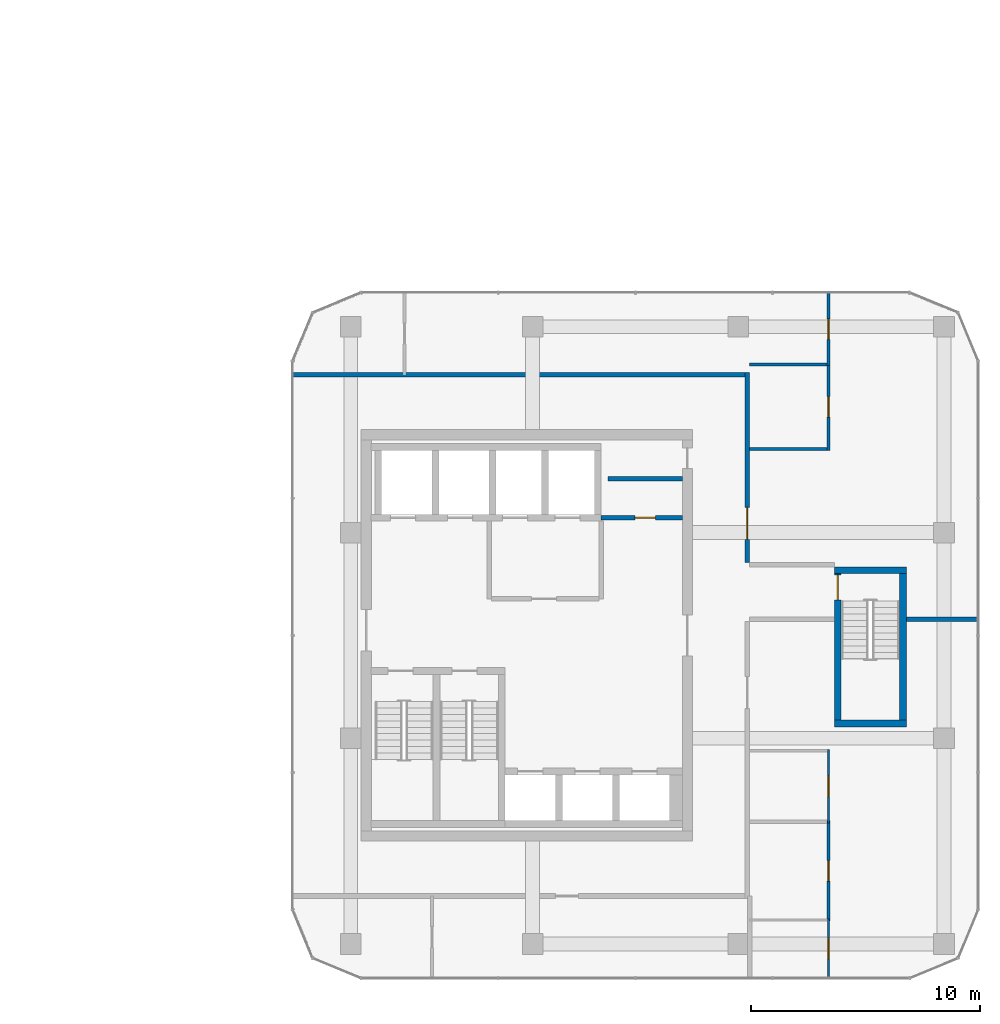
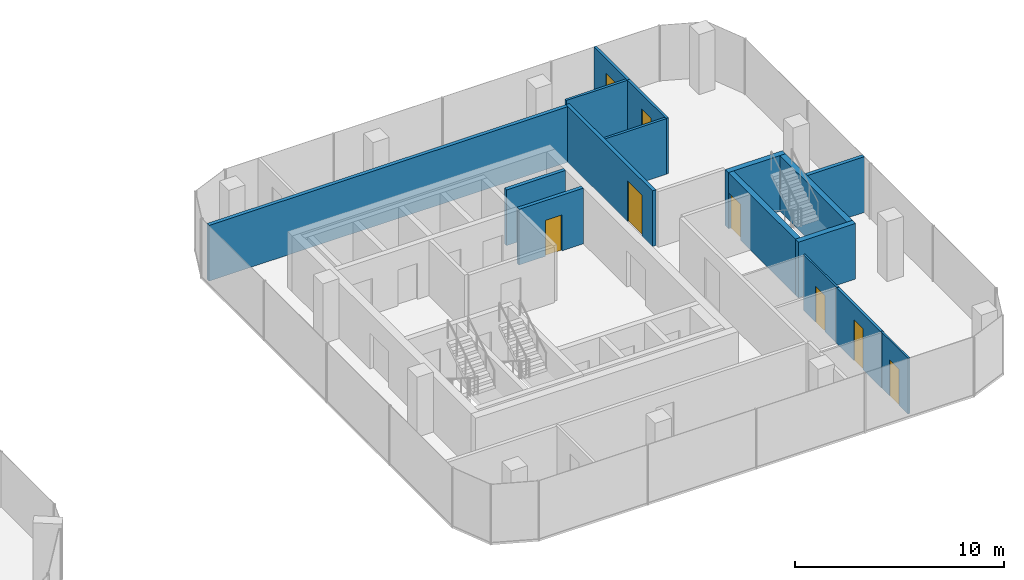
# One storey, part 19 of 23: 16 walls, 8 doors, 8 openings.
"""IFC4 building model written with IfcOpenShell, lengths in metres."""

from ifc_helpers import new_model, si_unit, direction, frame, frame_2d, origin, place, context, subcontext, project, spatial, rectangle, extrude, material, layer, layer_set, type_object, element, fill, save


model = new_model("IFC4")

# Units and contexts
model_context = context("Model", 3, precision=1e-05, world=origin(), true_north=direction((0.0, 1.0)))
body_context = subcontext(model_context, "Body", "Model", "MODEL_VIEW")
ifc_project = project(units=[si_unit("LENGTHUNIT", "METRE"), si_unit("AREAUNIT", "SQUARE_METRE"), si_unit("VOLUMEUNIT", "CUBIC_METRE"), si_unit("PLANEANGLEUNIT", "RADIAN"), si_unit("MASSUNIT", "GRAM", prefix="KILO")], contexts=[model_context])

# Site, building, storey
site_placement = place(None, origin())
site = spatial("IfcSite", under=ifc_project, at=site_placement, CompositionType="ELEMENT")
building_placement = place(site_placement, origin())
building = spatial("IfcBuilding", under=site, at=building_placement, Name="Plateau Cross Towers", CompositionType="ELEMENT")
storey_placement = place(building_placement, frame((0.0, 0.0, 85.300048828125)))
storey = spatial("IfcBuildingStorey", under=building, at=storey_placement, Name="L21", CompositionType="ELEMENT", Elevation=85.300048828125)

# Wall, opening, door
ifc_material_1 = material(Name="Concrete block, plastered both sides", Category="concrete")
ifc_layer_1 = layer(ifc_material_1, 0.199951171875)
ifc_layer_set_1 = layer_set([ifc_layer_1], Name="Concrete block, plastered both sides")
wall_type_1 = type_object("IfcWallType", Name="Core partition 200", PredefinedType="PARTITIONING", material=ifc_layer_set_1)
wall_1_placement = place(storey_placement, frame((85.5, 14.14990234375, 0.0), z_axis=(0.0, 0.0, 1.0), x_axis=(1.0, 0.0, 0.0)))
wall_1 = element("IfcWall", 1, at=wall_1_placement, inside=storey, type_object=wall_type_1, Name="Core partition", PredefinedType="PARTITIONING", context=body_context, shape_type="SweptSolid", body=[
    extrude(rectangle(XDim=3.550048828125, YDim=0.199951171875, at=frame_2d((1.77490234375, 0.0))), origin(), (0.0, 0.0, 1.0), 3.25),
])
opening_1_placement = place(wall_1_placement, frame((1.47509765625, 0.0, 0.0)))
opening_1 = element("IfcOpeningElement", 2, at=opening_1_placement, cuts=wall_1, Name="Opening RD2", PredefinedType="OPENING", context=body_context, shape_type="SweptSolid", body=[
    extrude(rectangle(XDim=0.89990234375, YDim=2.10009765625, at=frame_2d((0.449951171875, 1.050048828125))), frame((0.0, 0.10986328125, 0.0), z_axis=(0.0, -1.0, 0.0), x_axis=(1.0, 0.0, 0.0)), (0.0, 0.0, 1.0), 0.219970703125),
])
ifc_material_2 = material(Name="Steel, fire-resisting leaf", Category="steel")
door_type_1 = type_object("IfcDoorType", Name="Core riser door 900", OperationType="NOTDEFINED", PredefinedType="DOOR", material=ifc_material_2)
door_1_placement = place(opening_1_placement, origin())
door_1 = element("IfcDoor", 3, at=door_1_placement, inside=storey, type_object=door_type_1, Name="Core riser door RD2", OperationType="SINGLE_SWING_LEFT", OverallHeight=2.10009765625, OverallWidth=0.89990234375, PredefinedType="DOOR", context=body_context, shape_type="SweptSolid", body=[
    extrude(rectangle(XDim=0.89990234375, YDim=2.10009765625, at=frame_2d((0.449951171875, 1.050048828125))), frame((0.0, 0.02490234375, 0.0), z_axis=(0.0, -1.0, 0.0), x_axis=(1.0, 0.0, 0.0)), (0.0, 0.0, 1.0), 0.050048828125),
])
fill(opening_1, door_1)

# Wall
wall_2_placement = place(storey_placement, frame((85.800048828125, 15.85009765625, 0.0), z_axis=(0.0, 0.0, 1.0), x_axis=(1.0, 0.0, 0.0)))
element("IfcWall", 4, at=wall_2_placement, inside=storey, type_object=wall_type_1, Name="Core partition", PredefinedType="PARTITIONING", context=body_context, shape_type="SweptSolid", body=[
    extrude(rectangle(XDim=3.25, YDim=0.199951171875, at=frame_2d((1.625, 0.0))), origin(), (0.0, 0.0, 1.0), 3.25),
])

# Wall, opening, door
ifc_material_3 = material(Name="Concrete C60/75", Category="concrete")
ifc_layer_2 = layer(ifc_material_3, 0.300048828125)
ifc_layer_set_2 = layer_set([ifc_layer_2], Name="Concrete C60/75")
wall_type_2 = type_object("IfcWallType", Name="Core shaft wall 300", PredefinedType="SHEAR", material=ifc_layer_set_2)
wall_3_placement = place(storey_placement, frame((95.85009765625, 5.300048828125, 0.0), z_axis=(0.0, 0.0, 1.0), x_axis=(0.0, 1.0, 0.0)))
wall_3 = element("IfcWall", 5, at=wall_3_placement, inside=storey, type_object=wall_type_2, Name="B-sb3-W@L21", PredefinedType="SHEAR", context=body_context, shape_type="SweptSolid", body=[
    extrude(rectangle(XDim=6.39990234375, YDim=0.300048828125, at=frame_2d((3.199951171875, 0.0))), origin(), (0.0, 0.0, 1.0), 3.25),
])
opening_2_placement = place(wall_3_placement, frame((5.25, 0.0, 0.0)))
opening_2 = element("IfcOpeningElement", 6, at=opening_2_placement, cuts=wall_3, Name="Opening SD", PredefinedType="OPENING", context=body_context, shape_type="SweptSolid", body=[
    extrude(rectangle(XDim=1.10009765625, YDim=2.10009765625, at=frame_2d((0.550048828125, 1.050048828125))), frame((0.0, 0.159912109375, 0.0), z_axis=(0.0, -1.0, 0.0), x_axis=(1.0, 0.0, 0.0)), (0.0, 0.0, 1.0), 0.320068359375),
])
door_type_2 = type_object("IfcDoorType", Name="Stair door 1100", OperationType="NOTDEFINED", PredefinedType="DOOR", material=ifc_material_2)
door_2_placement = place(opening_2_placement, origin())
door_2 = element("IfcDoor", 7, at=door_2_placement, inside=storey, type_object=door_type_2, Name="Stair door SD", OperationType="SINGLE_SWING_LEFT", OverallHeight=2.10009765625, OverallWidth=1.10009765625, PredefinedType="DOOR", context=body_context, shape_type="SweptSolid", body=[
    extrude(rectangle(XDim=1.10009765625, YDim=2.10009765625, at=frame_2d((0.550048828125, 1.050048828125))), frame((0.0, 0.02490234375, 0.0), z_axis=(0.0, -1.0, 0.0), x_axis=(1.0, 0.0, 0.0)), (0.0, 0.0, 1.0), 0.050048828125),
])
fill(opening_2, door_2)

# Walls
wall_4_placement = place(storey_placement, frame((98.699951171875, 5.300048828125, 0.0), z_axis=(0.0, 0.0, 1.0), x_axis=(0.0, 1.0, 0.0)))
element("IfcWall", 8, at=wall_4_placement, inside=storey, type_object=wall_type_2, Name="B-sb3-E@L21", PredefinedType="SHEAR", context=body_context, shape_type="SweptSolid", body=[
    extrude(rectangle(XDim=6.39990234375, YDim=0.300048828125, at=frame_2d((3.199951171875, 0.0))), origin(), (0.0, 0.0, 1.0), 3.25),
])
for number, where, z_axis, x_axis, name in (
    (9, (95.699951171875, 5.14990234375, 0.0), (0.0, 0.0, 1.0), (1.0, 0.0, 0.0), "B-sb3-S@L21"),
    (10, (95.699951171875, 11.85009765625, 0.0), (0.0, 0.0, 1.0), (1.0, 0.0, 0.0), "B-sb3-N@L21"),
):
    element("IfcWall", number, at=place(storey_placement, frame(where, z_axis=z_axis, x_axis=x_axis)), inside=storey, type_object=wall_type_2, Name=name, PredefinedType="SHEAR", context=body_context, shape_type="SweptSolid", body=[
        extrude(rectangle(XDim=3.150146484375, YDim=0.300048828125, at=frame_2d((1.5751953125, 0.0))), origin(), (0.0, 0.0, 1.0), 3.25),
    ])
ifc_material_4 = material(Name="Gypsum board on steel studs, two layers each side", Category="steel")
ifc_layer_3 = layer(ifc_material_4, 0.199951171875)
ifc_layer_set_3 = layer_set([ifc_layer_3], Name="Gypsum board on steel studs, two layers each side")
wall_type_3 = type_object("IfcWallType", Name="Corridor wall 200", PredefinedType="PARTITIONING", material=ifc_layer_set_3)
wall_5_placement = place(storey_placement, frame((72.0, 20.39990234375, 0.0), z_axis=(0.0, 0.0, 1.0), x_axis=(1.0, 0.0, 0.0)))
element("IfcWall", 11, at=wall_5_placement, inside=storey, type_object=wall_type_3, Name="Ring wall", PredefinedType="PARTITIONING", context=body_context, shape_type="SweptSolid", body=[
    extrude(rectangle(XDim=20.0, YDim=0.199951171875, at=frame_2d((10.0, 0.0))), origin(), (0.0, 0.0, 1.0), 3.25),
])

# Wall, opening, door
wall_6_placement = place(storey_placement, frame((91.89990234375, 12.199951171875, 0.0), z_axis=(0.0, 0.0, 1.0), x_axis=(0.0, 1.0, 0.0)))
wall_6 = element("IfcWall", 12, at=wall_6_placement, inside=storey, type_object=wall_type_3, Name="Ring wall", PredefinedType="PARTITIONING", context=body_context, shape_type="SweptSolid", body=[
    extrude(rectangle(XDim=8.300048828125, YDim=0.199951171875, at=frame_2d((4.14990234375, 0.0))), origin(), (0.0, 0.0, 1.0), 3.25),
])
opening_3_placement = place(wall_6_placement, frame((1.0, 0.0, 0.0)))
opening_3 = element("IfcOpeningElement", 13, at=opening_3_placement, cuts=wall_6, Name="Opening D-BE14", PredefinedType="OPENING", context=body_context, shape_type="SweptSolid", body=[
    extrude(rectangle(XDim=1.39990234375, YDim=2.39990234375, at=frame_2d((0.699951171875, 1.199951171875))), frame((0.0, 0.10986328125, 0.0), z_axis=(0.0, -1.0, 0.0), x_axis=(1.0, 0.0, 0.0)), (0.0, 0.0, 1.0), 0.219970703125),
])
ifc_material_5 = material(Name="Timber, fire-resisting leaves", Category="wood")
door_type_3 = type_object("IfcDoorType", Name="Tenant entrance double-leaf 1400x2400", OperationType="NOTDEFINED", PredefinedType="DOOR", material=ifc_material_5)
door_3_placement = place(opening_3_placement, origin())
door_3 = element("IfcDoor", 14, at=door_3_placement, inside=storey, type_object=door_type_3, Name="Door D-BE14", OperationType="DOUBLE_DOOR_SINGLE_SWING", OverallHeight=2.39990234375, OverallWidth=1.39990234375, PredefinedType="DOOR", context=body_context, shape_type="SweptSolid", body=[
    extrude(rectangle(XDim=1.39990234375, YDim=2.39990234375, at=frame_2d((0.699951171875, 1.199951171875))), frame((0.0, 0.02490234375, 0.0), z_axis=(0.0, -1.0, 0.0), x_axis=(1.0, 0.0, 0.0)), (0.0, 0.0, 1.0), 0.050048828125),
])
fill(opening_3, door_3)

ifc_material_6 = material(Name="Gypsum board on staggered steel studs, mineral wool, two layers each side", Category="steel")
ifc_layer_4 = layer(ifc_material_6, 0.139892578125)
ifc_layer_set_4 = layer_set([ifc_layer_4], Name="Gypsum board on staggered steel studs, mineral wool, two layers each side")
wall_type_4 = type_object("IfcWallType", Name="Meeting room acoustic partition 140", PredefinedType="PARTITIONING", material=ifc_layer_set_4)
wall_7_placement = place(storey_placement, frame((95.449951171875, -3.5, 0.0), z_axis=(0.0, 0.0, 1.0), x_axis=(0.0, 1.0, 0.0)))
wall_7 = element("IfcWall", 15, at=wall_7_placement, inside=storey, type_object=wall_type_4, Name="Acoustic wall", PredefinedType="PARTITIONING", context=body_context, shape_type="SweptSolid", body=[
    extrude(rectangle(XDim=4.39990234375, YDim=0.139892578125, at=frame_2d((2.199951171875, 0.0))), origin(), (0.0, 0.0, 1.0), 3.25),
])
opening_4_placement = place(wall_7_placement, frame((1.75, 0.0, 0.0)))
opening_4 = element("IfcOpeningElement", 16, at=opening_4_placement, cuts=wall_7, Name="Opening D-BM9", PredefinedType="OPENING", context=body_context, shape_type="SweptSolid", body=[
    extrude(rectangle(XDim=0.89990234375, YDim=2.39990234375, at=frame_2d((0.449951171875, 1.199951171875))), frame((0.0, 0.079833984375, 0.0), z_axis=(0.0, -1.0, 0.0), x_axis=(1.0, 0.0, 0.0)), (0.0, 0.0, 1.0), 0.159912109375),
])
ifc_material_7 = material(Name="Timber leaf, full height", Category="wood")
door_type_4 = type_object("IfcDoorType", Name="Meeting room door 900x2400", OperationType="NOTDEFINED", PredefinedType="DOOR", material=ifc_material_7)
door_4_placement = place(opening_4_placement, origin())
door_4 = element("IfcDoor", 17, at=door_4_placement, inside=storey, type_object=door_type_4, Name="Door D-BM9", OperationType="SINGLE_SWING_LEFT", OverallHeight=2.39990234375, OverallWidth=0.89990234375, PredefinedType="DOOR", context=body_context, shape_type="SweptSolid", body=[
    extrude(rectangle(XDim=0.89990234375, YDim=2.39990234375, at=frame_2d((0.449951171875, 1.199951171875))), frame((0.0, 0.02490234375, 0.0), z_axis=(0.0, -1.0, 0.0), x_axis=(1.0, 0.0, 0.0)), (0.0, 0.0, 1.0), 0.050048828125),
])
fill(opening_4, door_4)

wall_8_placement = place(storey_placement, frame((95.449951171875, 20.800048828125, 0.0), z_axis=(0.0, 0.0, 1.0), x_axis=(0.0, 1.0, 0.0)))
wall_8 = element("IfcWall", 18, at=wall_8_placement, inside=storey, type_object=wall_type_4, Name="Acoustic wall", PredefinedType="PARTITIONING", context=body_context, shape_type="SweptSolid", body=[
    extrude(rectangle(XDim=3.199951171875, YDim=0.139892578125, at=frame_2d((1.60009765625, 0.0))), origin(), (0.0, 0.0, 1.0), 3.25),
])
opening_5_placement = place(wall_8_placement, frame((1.14990234375, 0.0, 0.0)))
opening_5 = element("IfcOpeningElement", 19, at=opening_5_placement, cuts=wall_8, Name="Opening D-BM9", PredefinedType="OPENING", context=body_context, shape_type="SweptSolid", body=[
    extrude(rectangle(XDim=0.89990234375, YDim=2.39990234375, at=frame_2d((0.449951171875, 1.199951171875))), frame((0.0, 0.079833984375, 0.0), z_axis=(0.0, -1.0, 0.0), x_axis=(1.0, 0.0, 0.0)), (0.0, 0.0, 1.0), 0.159912109375),
])
door_5_placement = place(opening_5_placement, origin())
door_5 = element("IfcDoor", 20, at=door_5_placement, inside=storey, type_object=door_type_4, Name="Door D-BM9", OperationType="SINGLE_SWING_LEFT", OverallHeight=2.39990234375, OverallWidth=0.89990234375, PredefinedType="DOOR", context=body_context, shape_type="SweptSolid", body=[
    extrude(rectangle(XDim=0.89990234375, YDim=2.39990234375, at=frame_2d((0.449951171875, 1.199951171875))), frame((0.0, 0.02490234375, 0.0), z_axis=(0.0, -1.0, 0.0), x_axis=(1.0, 0.0, 0.0)), (0.0, 0.0, 1.0), 0.050048828125),
])
fill(opening_5, door_5)

# Wall
wall_9_placement = place(storey_placement, frame((92.0, 20.85009765625, 0.0), z_axis=(0.0, 0.0, 1.0), x_axis=(1.0, 0.0, 0.0)))
element("IfcWall", 21, at=wall_9_placement, inside=storey, type_object=wall_type_4, Name="Acoustic wall", PredefinedType="PARTITIONING", context=body_context, shape_type="SweptSolid", body=[
    extrude(rectangle(XDim=3.3798828125, YDim=0.139892578125, at=frame_2d((1.68994140625, 0.0))), origin(), (0.0, 0.0, 1.0), 3.25),
])

# Wall, opening, door
wall_10_placement = place(storey_placement, frame((95.449951171875, 17.10009765625, 0.0), z_axis=(0.0, 0.0, 1.0), x_axis=(0.0, 1.0, 0.0)))
wall_10 = element("IfcWall", 22, at=wall_10_placement, inside=storey, type_object=wall_type_4, Name="Acoustic wall", PredefinedType="PARTITIONING", context=body_context, shape_type="SweptSolid", body=[
    extrude(rectangle(XDim=3.7998046875, YDim=0.139892578125, at=frame_2d((1.89990234375, 0.0))), origin(), (0.0, 0.0, 1.0), 3.25),
])
opening_6_placement = place(wall_10_placement, frame((1.449951171875, 0.0, 0.0)))
opening_6 = element("IfcOpeningElement", 23, at=opening_6_placement, cuts=wall_10, Name="Opening D-BM9", PredefinedType="OPENING", context=body_context, shape_type="SweptSolid", body=[
    extrude(rectangle(XDim=0.89990234375, YDim=2.39990234375, at=frame_2d((0.449951171875, 1.199951171875))), frame((0.0, 0.079833984375, 0.0), z_axis=(0.0, -1.0, 0.0), x_axis=(1.0, 0.0, 0.0)), (0.0, 0.0, 1.0), 0.159912109375),
])
door_6_placement = place(opening_6_placement, origin())
door_6 = element("IfcDoor", 24, at=door_6_placement, inside=storey, type_object=door_type_4, Name="Door D-BM9", OperationType="SINGLE_SWING_LEFT", OverallHeight=2.39990234375, OverallWidth=0.89990234375, PredefinedType="DOOR", context=body_context, shape_type="SweptSolid", body=[
    extrude(rectangle(XDim=0.89990234375, YDim=2.39990234375, at=frame_2d((0.449951171875, 1.199951171875))), frame((0.0, 0.02490234375, 0.0), z_axis=(0.0, -1.0, 0.0), x_axis=(1.0, 0.0, 0.0)), (0.0, 0.0, 1.0), 0.050048828125),
])
fill(opening_6, door_6)

# Wall
wall_11_placement = place(storey_placement, frame((92.0, 17.14990234375, 0.0), z_axis=(0.0, 0.0, 1.0), x_axis=(1.0, 0.0, 0.0)))
element("IfcWall", 25, at=wall_11_placement, inside=storey, type_object=wall_type_4, Name="Acoustic wall", PredefinedType="PARTITIONING", context=body_context, shape_type="SweptSolid", body=[
    extrude(rectangle(XDim=3.3798828125, YDim=0.139892578125, at=frame_2d((1.68994140625, 0.0))), origin(), (0.0, 0.0, 1.0), 3.25),
])

# Wall, opening, door
ifc_material_8 = material(Name="Gypsum board on steel studs", Category="steel")
ifc_layer_5 = layer(ifc_material_8, 0.10009765625)
ifc_layer_set_5 = layer_set([ifc_layer_5], Name="Gypsum board on steel studs")
wall_type_5 = type_object("IfcWallType", Name="Office partition 100", PredefinedType="PARTITIONING", material=ifc_layer_set_5)
wall_12_placement = place(storey_placement, frame((95.449951171875, -6.0, 0.0), z_axis=(0.0, 0.0, 1.0), x_axis=(0.0, 1.0, 0.0)))
wall_12 = element("IfcWall", 26, at=wall_12_placement, inside=storey, type_object=wall_type_5, Name="Part wall", PredefinedType="PARTITIONING", context=body_context, shape_type="SweptSolid", body=[
    extrude(rectangle(XDim=2.60009765625, YDim=0.10009765625, at=frame_2d((1.300048828125, 0.0))), origin(), (0.0, 0.0, 1.0), 3.25),
])
opening_7_placement = place(wall_12_placement, frame((0.85009765625, 0.0, 0.0)))
opening_7 = element("IfcOpeningElement", 27, at=opening_7_placement, cuts=wall_12, Name="Opening D-BR9", PredefinedType="OPENING", context=body_context, shape_type="SweptSolid", body=[
    extrude(rectangle(XDim=0.89990234375, YDim=2.10009765625, at=frame_2d((0.449951171875, 1.050048828125))), frame((0.0, 0.06005859375, 0.0), z_axis=(0.0, -1.0, 0.0), x_axis=(1.0, 0.0, 0.0)), (0.0, 0.0, 1.0), 0.1201171875),
])
ifc_material_9 = material(Name="Timber leaf", Category="wood")
door_type_5 = type_object("IfcDoorType", Name="Office room door 900", OperationType="NOTDEFINED", PredefinedType="DOOR", material=ifc_material_9)
door_7_placement = place(opening_7_placement, origin())
door_7 = element("IfcDoor", 28, at=door_7_placement, inside=storey, type_object=door_type_5, Name="Door D-BR9", OperationType="SINGLE_SWING_LEFT", OverallHeight=2.10009765625, OverallWidth=0.89990234375, PredefinedType="DOOR", context=body_context, shape_type="SweptSolid", body=[
    extrude(rectangle(XDim=0.89990234375, YDim=2.10009765625, at=frame_2d((0.449951171875, 1.050048828125))), frame((0.0, 0.02490234375, 0.0), z_axis=(0.0, -1.0, 0.0), x_axis=(1.0, 0.0, 0.0)), (0.0, 0.0, 1.0), 0.050048828125),
])
fill(opening_7, door_7)

wall_13_placement = place(storey_placement, frame((95.449951171875, 0.800048828125, 0.0), z_axis=(0.0, 0.0, 1.0), x_axis=(0.0, 1.0, 0.0)))
wall_13 = element("IfcWall", 29, at=wall_13_placement, inside=storey, type_object=wall_type_5, Name="Part wall", PredefinedType="PARTITIONING", context=body_context, shape_type="SweptSolid", body=[
    extrude(rectangle(XDim=3.199951171875, YDim=0.10009765625, at=frame_2d((1.60009765625, 0.0))), origin(), (0.0, 0.0, 1.0), 3.25),
])
opening_8_placement = place(wall_13_placement, frame((1.14990234375, 0.0, 0.0)))
opening_8 = element("IfcOpeningElement", 30, at=opening_8_placement, cuts=wall_13, Name="Opening D-BR9", PredefinedType="OPENING", context=body_context, shape_type="SweptSolid", body=[
    extrude(rectangle(XDim=0.89990234375, YDim=2.10009765625, at=frame_2d((0.449951171875, 1.050048828125))), frame((0.0, 0.06005859375, 0.0), z_axis=(0.0, -1.0, 0.0), x_axis=(1.0, 0.0, 0.0)), (0.0, 0.0, 1.0), 0.1201171875),
])
door_8_placement = place(opening_8_placement, origin())
door_8 = element("IfcDoor", 31, at=door_8_placement, inside=storey, type_object=door_type_5, Name="Door D-BR9", OperationType="SINGLE_SWING_LEFT", OverallHeight=2.10009765625, OverallWidth=0.89990234375, PredefinedType="DOOR", context=body_context, shape_type="SweptSolid", body=[
    extrude(rectangle(XDim=0.89990234375, YDim=2.10009765625, at=frame_2d((0.449951171875, 1.050048828125))), frame((0.0, 0.02490234375, 0.0), z_axis=(0.0, -1.0, 0.0), x_axis=(1.0, 0.0, 0.0)), (0.0, 0.0, 1.0), 0.050048828125),
])
fill(opening_8, door_8)

# Wall
ifc_layer_6 = layer(ifc_material_4, 0.199951171875)
ifc_layer_set_6 = layer_set([ifc_layer_6], Name="Gypsum board on steel studs, two layers each side")
wall_type_6 = type_object("IfcWallType", Name="Tenancy demising wall 200", PredefinedType="PARTITIONING", material=ifc_layer_set_6)
wall_14_placement = place(storey_placement, frame((98.85009765625, 9.699951171875, 0.0), z_axis=(0.0, 0.0, 1.0), x_axis=(1.0, 0.0, 0.0)))
element("IfcWall", 32, at=wall_14_placement, inside=storey, type_object=wall_type_6, Name="Demising wall", PredefinedType="PARTITIONING", context=body_context, shape_type="SweptSolid", body=[
    extrude(rectangle(XDim=3.14990234375, YDim=0.199951171875, at=frame_2d((1.574951171875, 0.0))), origin(), (0.0, 0.0, 1.0), 3.25),
])

save(model, "model.ifc")
